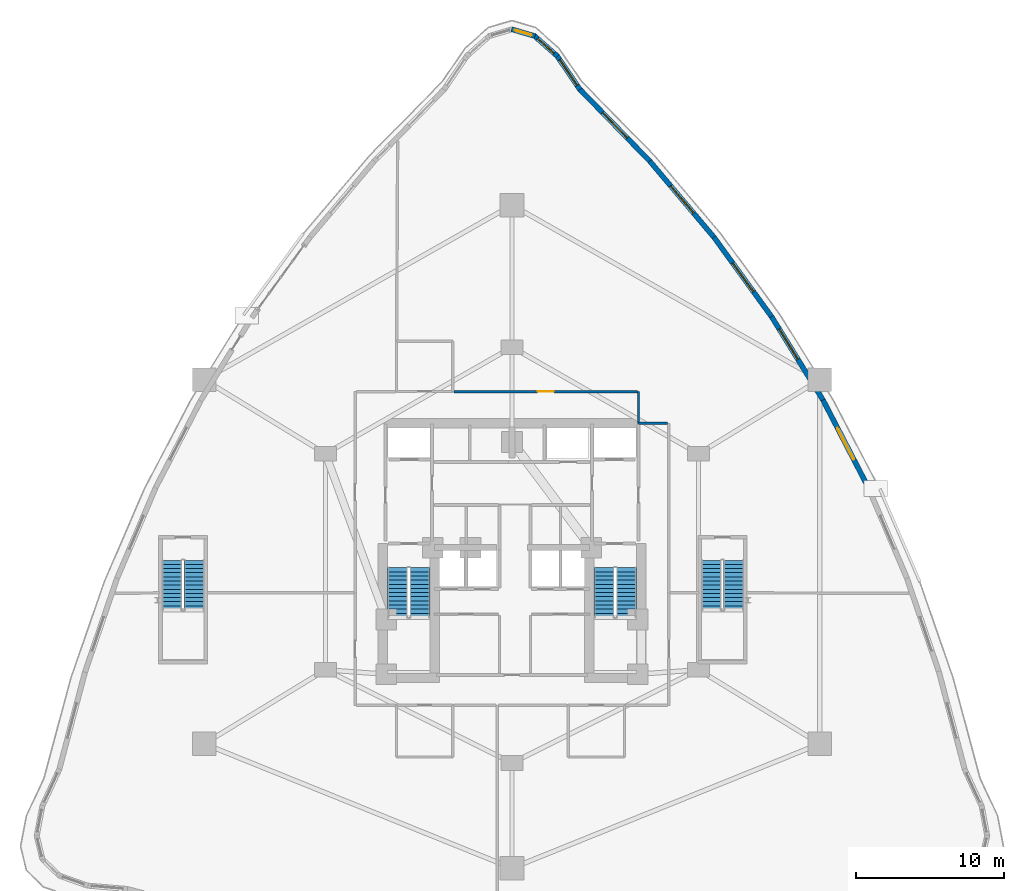
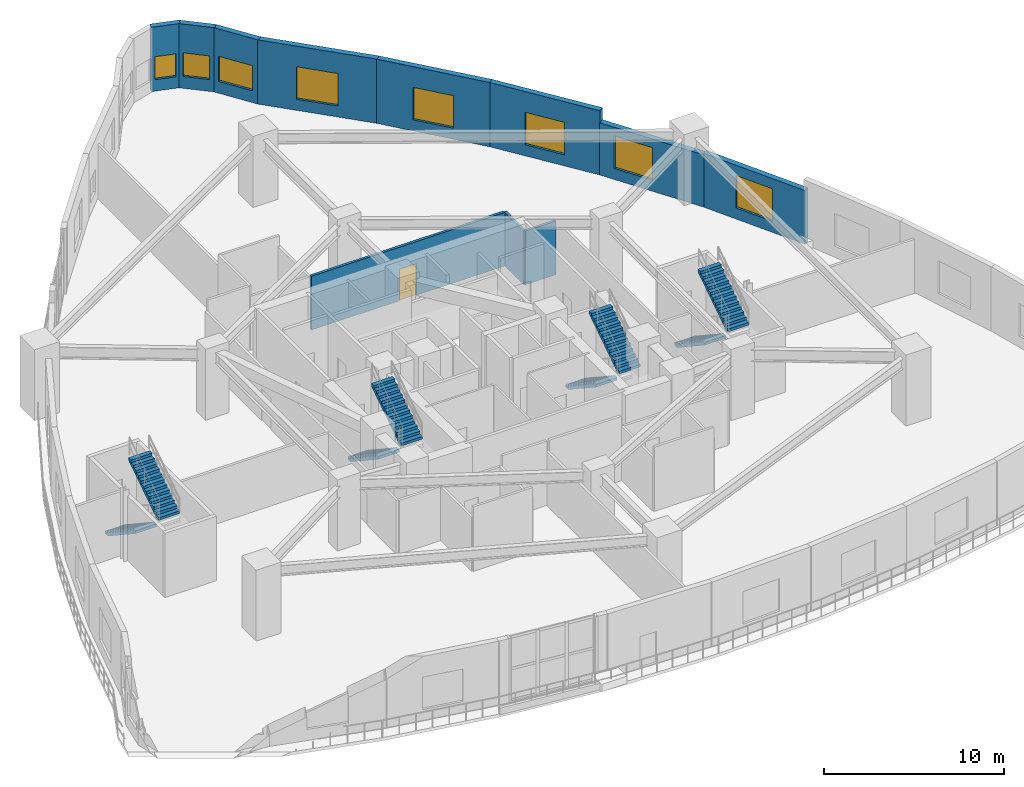
# One storey, part 15 of 19: 11 walls, 8 stair flights, 8 windows, 1 door, 9 openings, 4 elements without a shape of their own.
"""IFC4 building model written with IfcOpenShell, lengths in metres."""

from ifc_helpers import new_model, si_unit, direction, frame, frame_2d, origin, place, context, subcontext, project, spatial, polyline, rectangle, outline, extrude, material, layer, layer_set, type_object, element, fill, aggregate, save


model = new_model("IFC4")

# Units and contexts
model_context = context("Model", 3, precision=1e-05, world=origin(), true_north=direction((0.0, 1.0)))
body_context = subcontext(model_context, "Body", "Model", "MODEL_VIEW")
ifc_project = project(units=[si_unit("LENGTHUNIT", "METRE"), si_unit("AREAUNIT", "SQUARE_METRE"), si_unit("VOLUMEUNIT", "CUBIC_METRE"), si_unit("PLANEANGLEUNIT", "RADIAN"), si_unit("MASSUNIT", "GRAM", prefix="KILO")], contexts=[model_context])

# Site, building, storey
site_placement = place(None, origin())
site = spatial("IfcSite", under=ifc_project, at=site_placement, CompositionType="ELEMENT")
building_placement = place(site_placement, origin())
building = spatial("IfcBuilding", under=site, at=building_placement, Name="Miruveldt Soraemaru", CompositionType="ELEMENT")
storey_placement = place(building_placement, frame((0.0, 0.0, 19.199951171875)))
storey = spatial("IfcBuildingStorey", under=building, at=storey_placement, Name="L05", CompositionType="ELEMENT", Elevation=19.199951171875)

# Wall, opening, window
ifc_material_1 = material(Name="Precast concrete C45/55 (45 MPa)", Category="concrete")
ifc_layer_1 = layer(ifc_material_1, 0.340087890625, Name="Precast concrete C45/55 (45 MPa)", Category="concrete")
ifc_layer_set_1 = layer_set([ifc_layer_1], Name="Precast concrete C45/55 (45 MPa)")
wall_type_1 = type_object("IfcWallType", Name="WALL-EXT-PC340", PredefinedType="SOLIDWALL", material=ifc_layer_set_1)
wall_1_placement = place(storey_placement, frame((48.590576171875, 75.0078125, 0.0), z_axis=(0.0, 0.0, 1.0), x_axis=(-0.561889834633, 0.827212073011, 0.0)))
wall_1 = element("IfcWall", 1, at=wall_1_placement, inside=storey, type_object=wall_type_1, Name="L05 Precast Concrete Facade Wall 1", PredefinedType="SOLIDWALL", context=body_context, shape_type="SweptSolid", body=[
    extrude(rectangle(XDim=2.78173828125, YDim=0.340087890625, at=frame_2d((1.390869140625, 0.0))), origin(), (0.0, 0.0, 1.0), 4.35009765625),
])
opening_1_placement = place(wall_1_placement, frame((0.341064453125, 0.0, 0.800048828125)))
opening_1 = element("IfcOpeningElement", 2, at=opening_1_placement, cuts=wall_1, Name="Opening WN-1", PredefinedType="OPENING", context=body_context, shape_type="SweptSolid", body=[
    extrude(rectangle(XDim=2.10009765625, YDim=1.699951171875, at=frame_2d((1.050048828125, 0.85009765625))), frame((0.0, 0.18017578125, 0.0), z_axis=(0.0, -1.0, 0.0), x_axis=(1.0, 0.0, 0.0)), (0.0, 0.0, 1.0), 0.360107421875),
])
ifc_material_2 = material(Name="Triple low-e insulated glazing", Category="glass")
window_type_1 = type_object("IfcWindowType", Name="WIN-PUNCH-2100x1700", PartitioningType="SINGLE_PANEL", PredefinedType="WINDOW", material=ifc_material_2)
window_1_placement = place(opening_1_placement, origin())
window_1 = element("IfcWindow", 3, at=window_1_placement, inside=storey, type_object=window_type_1, Name="L05 Punched Triple-Glazed Window 01.1", OverallHeight=1.699951171875, OverallWidth=2.10009765625, PartitioningType="SINGLE_PANEL", PredefinedType="WINDOW", context=body_context, shape_type="SweptSolid", body=[
    extrude(rectangle(XDim=2.10009765625, YDim=1.699951171875, at=frame_2d((1.050048828125, 0.85009765625))), frame((0.0, 0.030029296875, 0.0), z_axis=(0.0, -1.0, 0.0), x_axis=(1.0, 0.0, 0.0)), (0.0, 0.0, 1.0), 0.06005859375),
])
fill(opening_1, window_1)

wall_2_placement = place(storey_placement, frame((47.073486328125, 77.256591796875, 0.0), z_axis=(0.0, 0.0, 1.0), x_axis=(-0.749461691661, 0.662047711825, 0.0)))
wall_2 = element("IfcWall", 4, at=wall_2_placement, inside=storey, type_object=wall_type_1, Name="L05 Precast Concrete Facade Wall 2", PredefinedType="SOLIDWALL", context=body_context, shape_type="SweptSolid", body=[
    extrude(rectangle(XDim=2.10302734375, YDim=0.340087890625, at=frame_2d((1.051513671875, 0.0))), origin(), (0.0, 0.0, 1.0), 4.35009765625),
])
opening_2_placement = place(wall_2_placement, frame((0.302001953125, 0.0, 0.800048828125)))
opening_2 = element("IfcOpeningElement", 5, at=opening_2_placement, cuts=wall_2, Name="Opening WN-3", PredefinedType="OPENING", context=body_context, shape_type="SweptSolid", body=[
    extrude(rectangle(XDim=1.5, YDim=1.60009765625, at=frame_2d((0.75, 0.800048828125))), frame((0.0, 0.18017578125, 0.0), z_axis=(0.0, -1.0, 0.0), x_axis=(1.0, 0.0, 0.0)), (0.0, 0.0, 1.0), 0.360107421875),
])
window_type_2 = type_object("IfcWindowType", Name="WIN-PUNCH-1500x1600", PartitioningType="SINGLE_PANEL", PredefinedType="WINDOW", material=ifc_material_2)
window_2_placement = place(opening_2_placement, origin())
window_2 = element("IfcWindow", 6, at=window_2_placement, inside=storey, type_object=window_type_2, Name="L05 Punched Triple-Glazed Window 02.1", OverallHeight=1.60009765625, OverallWidth=1.5, PartitioningType="SINGLE_PANEL", PredefinedType="WINDOW", context=body_context, shape_type="SweptSolid", body=[
    extrude(rectangle(XDim=1.5, YDim=1.60009765625, at=frame_2d((0.75, 0.800048828125))), frame((0.0, 0.030029296875, 0.0), z_axis=(0.0, -1.0, 0.0), x_axis=(1.0, 0.0, 0.0)), (0.0, 0.0, 1.0), 0.06005859375),
])
fill(opening_2, window_2)

wall_3_placement = place(storey_placement, frame((45.55712890625, 78.61572265625, 0.0), z_axis=(0.0, 0.0, 1.0), x_axis=(-0.959264639045, 0.282509030437, 0.0)))
wall_3 = element("IfcWall", 7, at=wall_3_placement, inside=storey, type_object=wall_type_1, Name="L05 Precast Concrete Facade Wall 3", PredefinedType="SOLIDWALL", context=body_context, shape_type="SweptSolid", body=[
    extrude(rectangle(XDim=1.658447265625, YDim=0.340087890625, at=frame_2d((0.8291015625, 0.0))), origin(), (0.0, 0.0, 1.0), 4.35009765625),
])
opening_3_placement = place(wall_3_placement, frame((0.22900390625, 0.0, 0.780029296875)))
opening_3 = element("IfcOpeningElement", 8, at=opening_3_placement, cuts=wall_3, Name="Opening WN-4", PredefinedType="OPENING", context=body_context, shape_type="SweptSolid", body=[
    extrude(rectangle(XDim=1.199951171875, YDim=1.550048828125, at=frame_2d((0.60009765625, 0.77490234375))), frame((0.0, 0.18017578125, 0.0), z_axis=(0.0, -1.0, 0.0), x_axis=(1.0, 0.0, 0.0)), (0.0, 0.0, 1.0), 0.360107421875),
])
window_type_3 = type_object("IfcWindowType", Name="WIN-PUNCH-1200x1550", PartitioningType="SINGLE_PANEL", PredefinedType="WINDOW", material=ifc_material_2)
window_3_placement = place(opening_3_placement, origin())
window_3 = element("IfcWindow", 9, at=window_3_placement, inside=storey, type_object=window_type_3, Name="L05 Punched Triple-Glazed Window 03.1", OverallHeight=1.550048828125, OverallWidth=1.199951171875, PartitioningType="SINGLE_PANEL", PredefinedType="WINDOW", context=body_context, shape_type="SweptSolid", body=[
    extrude(rectangle(XDim=1.199951171875, YDim=1.550048828125, at=frame_2d((0.60009765625, 0.77490234375))), frame((0.0, 0.030029296875, 0.0), z_axis=(0.0, -1.0, 0.0), x_axis=(1.0, 0.0, 0.0)), (0.0, 0.0, 1.0), 0.06005859375),
])
fill(opening_3, window_3)

wall_4_placement = place(storey_placement, frame((68.080810546875, 48.10546875, 0.0), z_axis=(0.0, 0.0, 1.0), x_axis=(-0.459645718279, 0.88810236666, 0.0)))
wall_4 = element("IfcWall", 10, at=wall_4_placement, inside=storey, type_object=wall_type_1, Name="L05 Precast Concrete Facade Wall 38", PredefinedType="SOLIDWALL", context=body_context, shape_type="SweptSolid", body=[
    extrude(rectangle(XDim=6.677001953125, YDim=0.340087890625, at=frame_2d((3.33837890625, 0.0))), origin(), (0.0, 0.0, 1.0), 3.637939453125),
])
opening_4_placement = place(wall_4_placement, frame((2.137939453125, 0.0, 0.75)))
opening_4 = element("IfcOpeningElement", 11, at=opening_4_placement, cuts=wall_4, Name="Opening WN-5", PredefinedType="OPENING", context=body_context, shape_type="SweptSolid", body=[
    extrude(rectangle(XDim=2.39990234375, YDim=2.199951171875, at=frame_2d((1.199951171875, 1.10009765625))), frame((0.0, 0.18017578125, 0.0), z_axis=(0.0, -1.0, 0.0), x_axis=(1.0, 0.0, 0.0)), (0.0, 0.0, 1.0), 0.360107421875),
])
window_type_4 = type_object("IfcWindowType", Name="WIN-PODM-2400x2200", PartitioningType="SINGLE_PANEL", PredefinedType="WINDOW", material=ifc_material_2)
window_4_placement = place(opening_4_placement, origin())
window_4 = element("IfcWindow", 12, at=window_4_placement, inside=storey, type_object=window_type_4, Name="L05 Punched Triple-Glazed Window 38.1", OverallHeight=2.199951171875, OverallWidth=2.39990234375, PartitioningType="SINGLE_PANEL", PredefinedType="WINDOW", context=body_context, shape_type="SweptSolid", body=[
    extrude(rectangle(XDim=2.39990234375, YDim=2.199951171875, at=frame_2d((1.199951171875, 1.10009765625))), frame((0.0, 0.030029296875, 0.0), z_axis=(0.0, -1.0, 0.0), x_axis=(1.0, 0.0, 0.0)), (0.0, 0.0, 1.0), 0.06005859375),
])
fill(opening_4, window_4)

wall_5_placement = place(storey_placement, frame((65.04638671875, 53.974609375, 0.0), z_axis=(0.0, 0.0, 1.0), x_axis=(-0.524888702996, 0.851170869724, 0.0)))
wall_5 = element("IfcWall", 13, at=wall_5_placement, inside=storey, type_object=wall_type_1, Name="L05 Precast Concrete Facade Wall 39", PredefinedType="SOLIDWALL", context=body_context, shape_type="SweptSolid", body=[
    extrude(rectangle(XDim=6.677490234375, YDim=0.340087890625, at=frame_2d((3.3388671875, 0.0))), origin(), (0.0, 0.0, 1.0), 3.5380859375),
])
opening_5_placement = place(wall_5_placement, frame((3.294921875, 0.0, 0.75)))
opening_5 = element("IfcOpeningElement", 14, at=opening_5_placement, cuts=wall_5, Name="Opening WN-5", PredefinedType="OPENING", context=body_context, shape_type="SweptSolid", body=[
    extrude(rectangle(XDim=2.39990234375, YDim=2.199951171875, at=frame_2d((1.199951171875, 1.10009765625))), frame((0.0, 0.18017578125, 0.0), z_axis=(0.0, -1.0, 0.0), x_axis=(1.0, 0.0, 0.0)), (0.0, 0.0, 1.0), 0.360107421875),
])
window_5_placement = place(opening_5_placement, origin())
window_5 = element("IfcWindow", 15, at=window_5_placement, inside=storey, type_object=window_type_4, Name="L05 Punched Triple-Glazed Window 39.1", OverallHeight=2.199951171875, OverallWidth=2.39990234375, PartitioningType="SINGLE_PANEL", PredefinedType="WINDOW", context=body_context, shape_type="SweptSolid", body=[
    extrude(rectangle(XDim=2.39990234375, YDim=2.199951171875, at=frame_2d((1.199951171875, 1.10009765625))), frame((0.0, 0.030029296875, 0.0), z_axis=(0.0, -1.0, 0.0), x_axis=(1.0, 0.0, 0.0)), (0.0, 0.0, 1.0), 0.06005859375),
])
fill(opening_5, window_5)

wall_6_placement = place(storey_placement, frame((61.58056640625, 59.60009765625, 0.0), z_axis=(0.0, 0.0, 1.0), x_axis=(-0.58679356257, 0.809736571316, 0.0)))
wall_6 = element("IfcWall", 16, at=wall_6_placement, inside=storey, type_object=wall_type_1, Name="L05 Precast Concrete Facade Wall 40", PredefinedType="SOLIDWALL", context=body_context, shape_type="SweptSolid", body=[
    extrude(rectangle(XDim=6.7138671875, YDim=0.340087890625, at=frame_2d((3.35693359375, 0.0))), origin(), (0.0, 0.0, 1.0), 4.35009765625),
])
opening_6_placement = place(wall_6_placement, frame((2.156982421875, 0.0, 0.75)))
opening_6 = element("IfcOpeningElement", 17, at=opening_6_placement, cuts=wall_6, Name="Opening WN-5", PredefinedType="OPENING", context=body_context, shape_type="SweptSolid", body=[
    extrude(rectangle(XDim=2.39990234375, YDim=2.199951171875, at=frame_2d((1.199951171875, 1.10009765625))), frame((0.0, 0.18017578125, 0.0), z_axis=(0.0, -1.0, 0.0), x_axis=(1.0, 0.0, 0.0)), (0.0, 0.0, 1.0), 0.360107421875),
])
window_6_placement = place(opening_6_placement, origin())
window_6 = element("IfcWindow", 18, at=window_6_placement, inside=storey, type_object=window_type_4, Name="L05 Punched Triple-Glazed Window 40.1", OverallHeight=2.199951171875, OverallWidth=2.39990234375, PartitioningType="SINGLE_PANEL", PredefinedType="WINDOW", context=body_context, shape_type="SweptSolid", body=[
    extrude(rectangle(XDim=2.39990234375, YDim=2.199951171875, at=frame_2d((1.199951171875, 1.10009765625))), frame((0.0, 0.030029296875, 0.0), z_axis=(0.0, -1.0, 0.0), x_axis=(1.0, 0.0, 0.0)), (0.0, 0.0, 1.0), 0.06005859375),
])
fill(opening_6, window_6)

wall_7_placement = place(storey_placement, frame((57.683837890625, 64.981689453125, 0.0), z_axis=(0.0, 0.0, 1.0), x_axis=(-0.64454325071, 0.764567850465, 0.0)))
wall_7 = element("IfcWall", 19, at=wall_7_placement, inside=storey, type_object=wall_type_1, Name="L05 Precast Concrete Facade Wall 41", PredefinedType="SOLIDWALL", context=body_context, shape_type="SweptSolid", body=[
    extrude(rectangle(XDim=6.787841796875, YDim=0.340087890625, at=frame_2d((3.39404296875, 0.0))), origin(), (0.0, 0.0, 1.0), 4.35009765625),
])
opening_7_placement = place(wall_7_placement, frame((2.194091796875, 0.0, 0.75)))
opening_7 = element("IfcOpeningElement", 20, at=opening_7_placement, cuts=wall_7, Name="Opening WN-5", PredefinedType="OPENING", context=body_context, shape_type="SweptSolid", body=[
    extrude(rectangle(XDim=2.39990234375, YDim=2.199951171875, at=frame_2d((1.199951171875, 1.10009765625))), frame((0.0, 0.18017578125, 0.0), z_axis=(0.0, -1.0, 0.0), x_axis=(1.0, 0.0, 0.0)), (0.0, 0.0, 1.0), 0.360107421875),
])
window_7_placement = place(opening_7_placement, origin())
window_7 = element("IfcWindow", 21, at=window_7_placement, inside=storey, type_object=window_type_4, Name="L05 Punched Triple-Glazed Window 41.1", OverallHeight=2.199951171875, OverallWidth=2.39990234375, PartitioningType="SINGLE_PANEL", PredefinedType="WINDOW", context=body_context, shape_type="SweptSolid", body=[
    extrude(rectangle(XDim=2.39990234375, YDim=2.199951171875, at=frame_2d((1.199951171875, 1.10009765625))), frame((0.0, 0.030029296875, 0.0), z_axis=(0.0, -1.0, 0.0), x_axis=(1.0, 0.0, 0.0)), (0.0, 0.0, 1.0), 0.06005859375),
])
fill(opening_7, window_7)

wall_8_placement = place(storey_placement, frame((53.35595703125, 70.119384765625, 0.0), z_axis=(0.0, 0.0, 1.0), x_axis=(-0.697411972143, 0.716670455029, 0.0)))
wall_8 = element("IfcWall", 22, at=wall_8_placement, inside=storey, type_object=wall_type_1, Name="L05 Precast Concrete Facade Wall 42", PredefinedType="SOLIDWALL", context=body_context, shape_type="SweptSolid", body=[
    extrude(rectangle(XDim=6.896240234375, YDim=0.340087890625, at=frame_2d((3.4482421875, 0.0))), origin(), (0.0, 0.0, 1.0), 4.35009765625),
])
opening_8_placement = place(wall_8_placement, frame((2.248046875, 0.0, 0.75)))
opening_8 = element("IfcOpeningElement", 23, at=opening_8_placement, cuts=wall_8, Name="Opening WN-5", PredefinedType="OPENING", context=body_context, shape_type="SweptSolid", body=[
    extrude(rectangle(XDim=2.39990234375, YDim=2.199951171875, at=frame_2d((1.199951171875, 1.10009765625))), frame((0.0, 0.18017578125, 0.0), z_axis=(0.0, -1.0, 0.0), x_axis=(1.0, 0.0, 0.0)), (0.0, 0.0, 1.0), 0.360107421875),
])
window_8_placement = place(opening_8_placement, origin())
window_8 = element("IfcWindow", 24, at=window_8_placement, inside=storey, type_object=window_type_4, Name="L05 Punched Triple-Glazed Window 42.1", OverallHeight=2.199951171875, OverallWidth=2.39990234375, PartitioningType="SINGLE_PANEL", PredefinedType="WINDOW", context=body_context, shape_type="SweptSolid", body=[
    extrude(rectangle(XDim=2.39990234375, YDim=2.199951171875, at=frame_2d((1.199951171875, 1.10009765625))), frame((0.0, 0.030029296875, 0.0), z_axis=(0.0, -1.0, 0.0), x_axis=(1.0, 0.0, 0.0)), (0.0, 0.0, 1.0), 0.06005859375),
])
fill(opening_8, window_8)

# Wall, opening, door
ifc_material_3 = material(Name="Concrete C40/50 (40 MPa)", Category="concrete")
ifc_layer_2 = layer(ifc_material_3, 0.159912109375, Name="Concrete C40/50 (40 MPa)", Category="concrete")
ifc_layer_set_2 = layer_set([ifc_layer_2], Name="Concrete C40/50 (40 MPa)")
wall_type_2 = type_object("IfcWallType", Name="WALL-INT-RC160", PredefinedType="SOLIDWALL", material=ifc_layer_set_2)
wall_9_placement = place(storey_placement, frame((52.469970703125, 54.60009765625, 0.0), z_axis=(0.0, 0.0, 1.0), x_axis=(-1.0, 0.0, 0.0)))
wall_9 = element("IfcWall", 25, at=wall_9_placement, inside=storey, type_object=wall_type_2, Name="L05 Partition Wall 15", PredefinedType="SOLIDWALL", context=body_context, shape_type="SweptSolid", body=[
    extrude(rectangle(XDim=12.389892578125, YDim=0.159912109375, at=frame_2d((6.19482421875, 0.0))), origin(), (0.0, 0.0, 1.0), 3.637939453125),
])
opening_9_placement = place(wall_9_placement, frame((5.64501953125, 0.0, 0.0)))
opening_9 = element("IfcOpeningElement", 26, at=opening_9_placement, cuts=wall_9, Name="Opening FD1A", PredefinedType="OPENING", context=body_context, shape_type="SweptSolid", body=[
    extrude(rectangle(XDim=1.10009765625, YDim=2.14990234375, at=frame_2d((0.550048828125, 1.074951171875))), frame((0.0, 0.08984375, 0.0), z_axis=(0.0, -1.0, 0.0), x_axis=(1.0, 0.0, 0.0)), (0.0, 0.0, 1.0), 0.179931640625),
])
ifc_material_4 = material(Name="Anodised aluminium EN AW-6063 T6", Category="aluminium")
door_type = type_object("IfcDoorType", Name="DOOR-FD1-1100", OperationType="NOTDEFINED", PredefinedType="DOOR", material=ifc_material_4)
door_placement = place(opening_9_placement, origin())
door = element("IfcDoor", 27, at=door_placement, inside=storey, type_object=door_type, Name="L05 Meditation Pavilion East Entrance Door", OperationType="SINGLE_SWING_LEFT", OverallHeight=2.14990234375, OverallWidth=1.10009765625, PredefinedType="DOOR", context=body_context, shape_type="SweptSolid", body=[
    extrude(rectangle(XDim=1.10009765625, YDim=2.14990234375, at=frame_2d((0.550048828125, 1.074951171875))), frame((0.0, 0.02490234375, 0.0), z_axis=(0.0, -1.0, 0.0), x_axis=(1.0, 0.0, 0.0)), (0.0, 0.0, 1.0), 0.050048828125),
])
fill(opening_9, door)

# Walls
wall_10_placement = place(storey_placement, frame((52.550048828125, 52.449951171875, 0.0), z_axis=(0.0, 0.0, 1.0), x_axis=(0.0, 1.0, 0.0)))
element("IfcWall", 28, at=wall_10_placement, inside=storey, type_object=wall_type_2, Name="L05 Partition Wall 14", PredefinedType="SOLIDWALL", context=body_context, shape_type="SweptSolid", body=[
    extrude(rectangle(XDim=2.150146484375, YDim=0.159912109375, at=frame_2d((1.0751953125, 0.0))), origin(), (0.0, 0.0, 1.0), 3.637939453125),
])
wall_11_placement = place(storey_placement, frame((54.52001953125, 52.449951171875, 0.0), z_axis=(0.0, 0.0, 1.0), x_axis=(-1.0, 0.0, 0.0)))
element("IfcWall", 29, at=wall_11_placement, inside=storey, type_object=wall_type_2, Name="L05 Partition Wall 13", PredefinedType="SOLIDWALL", context=body_context, shape_type="SweptSolid", body=[
    extrude(rectangle(XDim=1.969970703125, YDim=0.159912109375, at=frame_2d((0.98486328125, 0.0))), origin(), (0.0, 0.0, 1.0), 3.637939453125),
])

# Stair, stair flights
stair_type_1 = type_object("IfcStairType", Name="STAIR-DL-480", PredefinedType="HALF_TURN_STAIR", material=ifc_material_3)
stair_1_placement = place(storey_placement, origin())
stair_1 = element("IfcStair", 30, at=stair_1_placement, inside=storey, type_object=stair_type_1, Name="L05 Protected Exit Stair ST-1", PredefinedType="HALF_TURN_STAIR")
stair_flight_type_1 = type_object("IfcStairFlightType", Name="SFL-DL-480", PredefinedType="STRAIGHT", material=ifc_material_3)
stair_flight_1_placement = place(storey_placement, frame((36.27490234375, 42.699951171875, 0.0), z_axis=(0.0, 0.0, 1.0), x_axis=(0.0, -1.0, 0.0)))
stair_flight_1 = element("IfcStairFlight", 31, at=stair_flight_1_placement, type_object=stair_flight_type_1, Name="ST-1 flight 1", NumberOfRisers=13, NumberOfTreads=12, PredefinedType="STRAIGHT", RiserHeight=0.184615385, TreadLength=0.28, context=body_context, shape_type="SweptSolid", body=[
    extrude(outline(polyline([(0.0, 0.0), (0.0, 0.1845703125), (0.280029296875, 0.1845703125), (0.280029296875, 0.369140625), (0.56005859375, 0.369140625), (0.56005859375, 0.553955078125), (0.840087890625, 0.553955078125), (0.840087890625, 0.738525390625), (1.1201171875, 0.738525390625), (1.1201171875, 0.923095703125), (1.39990234375, 0.923095703125), (1.39990234375, 1.107666015625), (1.679931640625, 1.107666015625), (1.679931640625, 1.292236328125), (1.9599609375, 1.292236328125), (1.9599609375, 1.476806640625), (2.239990234375, 1.476806640625), (2.239990234375, 1.66162109375), (2.52001953125, 1.66162109375), (2.52001953125, 1.84619140625), (2.800048828125, 1.84619140625), (2.800048828125, 2.03076171875), (3.080078125, 2.03076171875), (3.080078125, 2.21533203125), (3.360107421875, 2.21533203125), (3.360107421875, 2.39990234375), (3.360107421875, 2.02392578125), (0.29052734375, 0.0), (0.0, 0.0)])), frame((0.0, 0.675048828125, 0.0), z_axis=(0.0, -1.0, 0.0), x_axis=(1.0, 0.0, 0.0)), (0.0, 0.0, 1.0), 1.35009765625),
])
stair_flight_2_placement = place(storey_placement, frame((37.77490234375, 39.340087890625, 2.400146484375), z_axis=(0.0, 0.0, 1.0), x_axis=(0.0, 1.0, 0.0)))
stair_flight_2 = element("IfcStairFlight", 32, at=stair_flight_2_placement, type_object=stair_flight_type_1, Name="ST-1 flight 2", NumberOfRisers=13, NumberOfTreads=12, PredefinedType="STRAIGHT", RiserHeight=0.184615385, TreadLength=0.28, context=body_context, shape_type="SweptSolid", body=[
    extrude(outline(polyline([(0.0, 0.0), (0.0, 0.1845703125), (0.280029296875, 0.1845703125), (0.280029296875, 0.369140625), (0.56005859375, 0.369140625), (0.56005859375, 0.553955078125), (0.840087890625, 0.553955078125), (0.840087890625, 0.738525390625), (1.1201171875, 0.738525390625), (1.1201171875, 0.923095703125), (1.39990234375, 0.923095703125), (1.39990234375, 1.107666015625), (1.679931640625, 1.107666015625), (1.679931640625, 1.292236328125), (1.9599609375, 1.292236328125), (1.9599609375, 1.476806640625), (2.239990234375, 1.476806640625), (2.239990234375, 1.66162109375), (2.52001953125, 1.66162109375), (2.52001953125, 1.84619140625), (2.800048828125, 1.84619140625), (2.800048828125, 2.03076171875), (3.080078125, 2.03076171875), (3.080078125, 2.21533203125), (3.360107421875, 2.21533203125), (3.360107421875, 2.39990234375), (3.360107421875, 2.02392578125), (0.29052734375, 0.0), (0.0, 0.0)])), frame((0.0, 0.675048828125, 0.0), z_axis=(0.0, -1.0, 0.0), x_axis=(1.0, 0.0, 0.0)), (0.0, 0.0, 1.0), 1.35009765625),
])
aggregate(stair_1, [stair_flight_1, stair_flight_2])

stair_2_placement = place(storey_placement, origin())
stair_2 = element("IfcStair", 33, at=stair_2_placement, inside=storey, type_object=stair_type_1, Name="L05 Protected Exit Stair ST-2", PredefinedType="HALF_TURN_STAIR")
stair_flight_3_placement = place(storey_placement, frame((50.22509765625, 42.699951171875, 0.0), z_axis=(0.0, 0.0, 1.0), x_axis=(0.0, -1.0, 0.0)))
stair_flight_3 = element("IfcStairFlight", 34, at=stair_flight_3_placement, type_object=stair_flight_type_1, Name="ST-2 flight 1", NumberOfRisers=13, NumberOfTreads=12, PredefinedType="STRAIGHT", RiserHeight=0.184615385, TreadLength=0.28, context=body_context, shape_type="SweptSolid", body=[
    extrude(outline(polyline([(0.0, 0.0), (0.0, 0.1845703125), (0.280029296875, 0.1845703125), (0.280029296875, 0.369140625), (0.56005859375, 0.369140625), (0.56005859375, 0.553955078125), (0.840087890625, 0.553955078125), (0.840087890625, 0.738525390625), (1.1201171875, 0.738525390625), (1.1201171875, 0.923095703125), (1.39990234375, 0.923095703125), (1.39990234375, 1.107666015625), (1.679931640625, 1.107666015625), (1.679931640625, 1.292236328125), (1.9599609375, 1.292236328125), (1.9599609375, 1.476806640625), (2.239990234375, 1.476806640625), (2.239990234375, 1.66162109375), (2.52001953125, 1.66162109375), (2.52001953125, 1.84619140625), (2.800048828125, 1.84619140625), (2.800048828125, 2.03076171875), (3.080078125, 2.03076171875), (3.080078125, 2.21533203125), (3.360107421875, 2.21533203125), (3.360107421875, 2.39990234375), (3.360107421875, 2.02392578125), (0.29052734375, 0.0), (0.0, 0.0)])), frame((0.0, 0.675048828125, 0.0), z_axis=(0.0, -1.0, 0.0), x_axis=(1.0, 0.0, 0.0)), (0.0, 0.0, 1.0), 1.35009765625),
])
stair_flight_4_placement = place(storey_placement, frame((51.72509765625, 39.340087890625, 2.400146484375), z_axis=(0.0, 0.0, 1.0), x_axis=(0.0, 1.0, 0.0)))
stair_flight_4 = element("IfcStairFlight", 35, at=stair_flight_4_placement, type_object=stair_flight_type_1, Name="ST-2 flight 2", NumberOfRisers=13, NumberOfTreads=12, PredefinedType="STRAIGHT", RiserHeight=0.184615385, TreadLength=0.28, context=body_context, shape_type="SweptSolid", body=[
    extrude(outline(polyline([(0.0, 0.0), (0.0, 0.1845703125), (0.280029296875, 0.1845703125), (0.280029296875, 0.369140625), (0.56005859375, 0.369140625), (0.56005859375, 0.553955078125), (0.840087890625, 0.553955078125), (0.840087890625, 0.738525390625), (1.1201171875, 0.738525390625), (1.1201171875, 0.923095703125), (1.39990234375, 0.923095703125), (1.39990234375, 1.107666015625), (1.679931640625, 1.107666015625), (1.679931640625, 1.292236328125), (1.9599609375, 1.292236328125), (1.9599609375, 1.476806640625), (2.239990234375, 1.476806640625), (2.239990234375, 1.66162109375), (2.52001953125, 1.66162109375), (2.52001953125, 1.84619140625), (2.800048828125, 1.84619140625), (2.800048828125, 2.03076171875), (3.080078125, 2.03076171875), (3.080078125, 2.21533203125), (3.360107421875, 2.21533203125), (3.360107421875, 2.39990234375), (3.360107421875, 2.02392578125), (0.29052734375, 0.0), (0.0, 0.0)])), frame((0.0, 0.675048828125, 0.0), z_axis=(0.0, -1.0, 0.0), x_axis=(1.0, 0.0, 0.0)), (0.0, 0.0, 1.0), 1.35009765625),
])
aggregate(stair_2, [stair_flight_3, stair_flight_4])

stair_3_placement = place(storey_placement, origin())
stair_3 = element("IfcStair", 36, at=stair_3_placement, inside=storey, type_object=stair_type_1, Name="L05 Podium Protected Exit Stair ST-3", PredefinedType="HALF_TURN_STAIR")
stair_flight_5_placement = place(storey_placement, frame((21.02490234375, 43.199951171875, 0.0), z_axis=(0.0, 0.0, 1.0), x_axis=(0.0, -1.0, 0.0)))
stair_flight_5 = element("IfcStairFlight", 37, at=stair_flight_5_placement, type_object=stair_flight_type_1, Name="ST-3 flight 1", NumberOfRisers=13, NumberOfTreads=12, PredefinedType="STRAIGHT", RiserHeight=0.184615385, TreadLength=0.28, context=body_context, shape_type="SweptSolid", body=[
    extrude(outline(polyline([(0.0, 0.0), (0.0, 0.1845703125), (0.280029296875, 0.1845703125), (0.280029296875, 0.369140625), (0.56005859375, 0.369140625), (0.56005859375, 0.553955078125), (0.840087890625, 0.553955078125), (0.840087890625, 0.738525390625), (1.1201171875, 0.738525390625), (1.1201171875, 0.923095703125), (1.39990234375, 0.923095703125), (1.39990234375, 1.107666015625), (1.679931640625, 1.107666015625), (1.679931640625, 1.292236328125), (1.9599609375, 1.292236328125), (1.9599609375, 1.476806640625), (2.239990234375, 1.476806640625), (2.239990234375, 1.66162109375), (2.52001953125, 1.66162109375), (2.52001953125, 1.84619140625), (2.800048828125, 1.84619140625), (2.800048828125, 2.03076171875), (3.080078125, 2.03076171875), (3.080078125, 2.21533203125), (3.360107421875, 2.21533203125), (3.360107421875, 2.39990234375), (3.360107421875, 2.02392578125), (0.29052734375, 0.0), (0.0, 0.0)])), frame((0.0, 0.675048828125, 0.0), z_axis=(0.0, -1.0, 0.0), x_axis=(1.0, 0.0, 0.0)), (0.0, 0.0, 1.0), 1.35009765625),
])
stair_flight_6_placement = place(storey_placement, frame((22.52490234375, 39.840087890625, 2.400146484375), z_axis=(0.0, 0.0, 1.0), x_axis=(0.0, 1.0, 0.0)))
stair_flight_6 = element("IfcStairFlight", 38, at=stair_flight_6_placement, type_object=stair_flight_type_1, Name="ST-3 flight 2", NumberOfRisers=13, NumberOfTreads=12, PredefinedType="STRAIGHT", RiserHeight=0.184615385, TreadLength=0.28, context=body_context, shape_type="SweptSolid", body=[
    extrude(outline(polyline([(0.0, 0.0), (0.0, 0.1845703125), (0.280029296875, 0.1845703125), (0.280029296875, 0.369140625), (0.56005859375, 0.369140625), (0.56005859375, 0.553955078125), (0.840087890625, 0.553955078125), (0.840087890625, 0.738525390625), (1.1201171875, 0.738525390625), (1.1201171875, 0.923095703125), (1.39990234375, 0.923095703125), (1.39990234375, 1.107666015625), (1.679931640625, 1.107666015625), (1.679931640625, 1.292236328125), (1.9599609375, 1.292236328125), (1.9599609375, 1.476806640625), (2.239990234375, 1.476806640625), (2.239990234375, 1.66162109375), (2.52001953125, 1.66162109375), (2.52001953125, 1.84619140625), (2.800048828125, 1.84619140625), (2.800048828125, 2.03076171875), (3.080078125, 2.03076171875), (3.080078125, 2.21533203125), (3.360107421875, 2.21533203125), (3.360107421875, 2.39990234375), (3.360107421875, 2.02392578125), (0.29052734375, 0.0), (0.0, 0.0)])), frame((0.0, 0.675048828125, 0.0), z_axis=(0.0, -1.0, 0.0), x_axis=(1.0, 0.0, 0.0)), (0.0, 0.0, 1.0), 1.35009765625),
])
aggregate(stair_3, [stair_flight_5, stair_flight_6])

ifc_material_5 = material(Name="Steel S355 (355 MPa)", Category="steel")
stair_type_2 = type_object("IfcStairType", Name="STAIR-FEAT-STR", PredefinedType="TWO_STRAIGHT_RUN_STAIR", material=ifc_material_5)
stair_4_placement = place(storey_placement, origin())
stair_4 = element("IfcStair", 39, at=stair_4_placement, inside=storey, type_object=stair_type_2, Name="L05 Podium Garden Feature Stair ST-4", PredefinedType="TWO_STRAIGHT_RUN_STAIR")
stair_flight_type_2 = type_object("IfcStairFlightType", Name="SFL-FEAT-STR", PredefinedType="STRAIGHT", material=ifc_material_5)
stair_flight_7_placement = place(storey_placement, frame((57.47509765625, 43.199951171875, 0.0), z_axis=(0.0, 0.0, 1.0), x_axis=(0.0, -1.0, 0.0)))
stair_flight_7 = element("IfcStairFlight", 40, at=stair_flight_7_placement, type_object=stair_flight_type_2, Name="ST-4 flight 1", NumberOfRisers=13, NumberOfTreads=12, PredefinedType="STRAIGHT", RiserHeight=0.184615385, TreadLength=0.28, context=body_context, shape_type="SweptSolid", body=[
    extrude(outline(polyline([(0.0, 0.0), (0.0, 0.1845703125), (0.280029296875, 0.1845703125), (0.280029296875, 0.369140625), (0.56005859375, 0.369140625), (0.56005859375, 0.553955078125), (0.840087890625, 0.553955078125), (0.840087890625, 0.738525390625), (1.1201171875, 0.738525390625), (1.1201171875, 0.923095703125), (1.39990234375, 0.923095703125), (1.39990234375, 1.107666015625), (1.679931640625, 1.107666015625), (1.679931640625, 1.292236328125), (1.9599609375, 1.292236328125), (1.9599609375, 1.476806640625), (2.239990234375, 1.476806640625), (2.239990234375, 1.66162109375), (2.52001953125, 1.66162109375), (2.52001953125, 1.84619140625), (2.800048828125, 1.84619140625), (2.800048828125, 2.03076171875), (3.080078125, 2.03076171875), (3.080078125, 2.21533203125), (3.360107421875, 2.21533203125), (3.360107421875, 2.39990234375), (3.360107421875, 2.02392578125), (0.29052734375, 0.0), (0.0, 0.0)])), frame((0.0, 0.675048828125, 0.0), z_axis=(0.0, -1.0, 0.0), x_axis=(1.0, 0.0, 0.0)), (0.0, 0.0, 1.0), 1.35009765625),
])
stair_flight_8_placement = place(storey_placement, frame((58.97509765625, 39.840087890625, 2.400146484375), z_axis=(0.0, 0.0, 1.0), x_axis=(0.0, 1.0, 0.0)))
stair_flight_8 = element("IfcStairFlight", 41, at=stair_flight_8_placement, type_object=stair_flight_type_2, Name="ST-4 flight 2", NumberOfRisers=13, NumberOfTreads=12, PredefinedType="STRAIGHT", RiserHeight=0.184615385, TreadLength=0.28, context=body_context, shape_type="SweptSolid", body=[
    extrude(outline(polyline([(0.0, 0.0), (0.0, 0.1845703125), (0.280029296875, 0.1845703125), (0.280029296875, 0.369140625), (0.56005859375, 0.369140625), (0.56005859375, 0.553955078125), (0.840087890625, 0.553955078125), (0.840087890625, 0.738525390625), (1.1201171875, 0.738525390625), (1.1201171875, 0.923095703125), (1.39990234375, 0.923095703125), (1.39990234375, 1.107666015625), (1.679931640625, 1.107666015625), (1.679931640625, 1.292236328125), (1.9599609375, 1.292236328125), (1.9599609375, 1.476806640625), (2.239990234375, 1.476806640625), (2.239990234375, 1.66162109375), (2.52001953125, 1.66162109375), (2.52001953125, 1.84619140625), (2.800048828125, 1.84619140625), (2.800048828125, 2.03076171875), (3.080078125, 2.03076171875), (3.080078125, 2.21533203125), (3.360107421875, 2.21533203125), (3.360107421875, 2.39990234375), (3.360107421875, 2.02392578125), (0.29052734375, 0.0), (0.0, 0.0)])), frame((0.0, 0.675048828125, 0.0), z_axis=(0.0, -1.0, 0.0), x_axis=(1.0, 0.0, 0.0)), (0.0, 0.0, 1.0), 1.35009765625),
])
aggregate(stair_4, [stair_flight_7, stair_flight_8])

save(model, "model.ifc")
